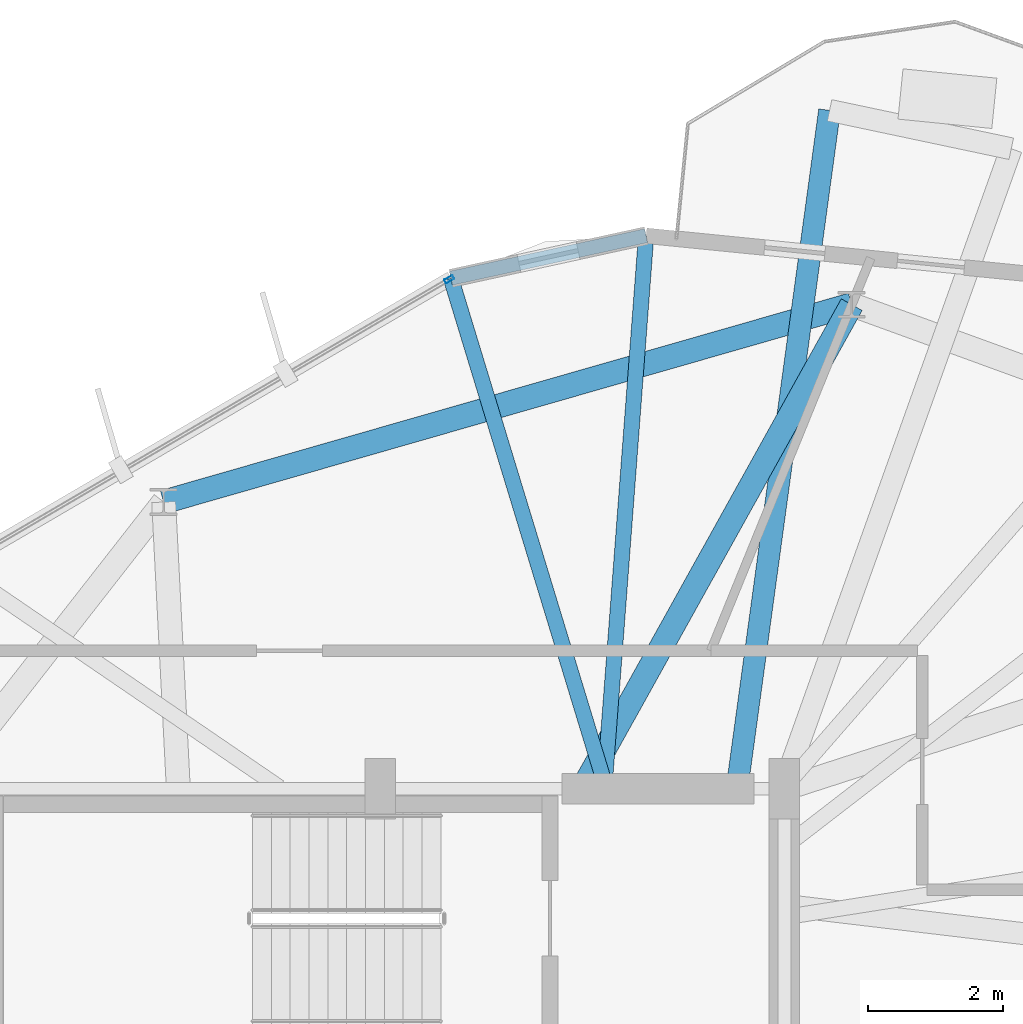
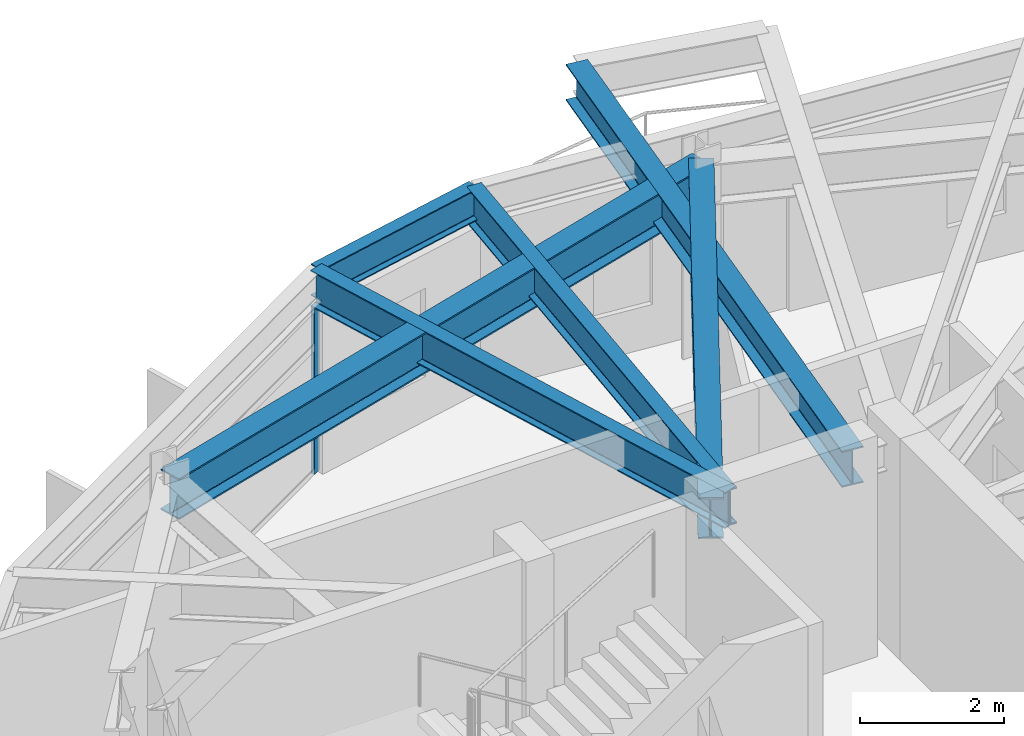
# One storey, part 16 of 25: 6 beams, 1 member, 1 element without a shape of its own.
"""IFC4 building model written with IfcOpenShell, lengths in metres."""

from ifc_helpers import new_model, si_unit, direction, frame, origin, origin_2d, place, context, subcontext, project, spatial, hollow_rectangle, i_section, extrude, material, layer, layer_set, material_profile, profile_set, type_object, element, aggregate, save


model = new_model("IFC4")

# Units and contexts
model_context = context("Model", 3, precision=1e-05, world=origin(), true_north=direction((0.0, 1.0)))
body_context = subcontext(model_context, "Body", "Model", "MODEL_VIEW")
ifc_project = project(units=[si_unit("LENGTHUNIT", "METRE"), si_unit("AREAUNIT", "SQUARE_METRE"), si_unit("VOLUMEUNIT", "CUBIC_METRE"), si_unit("PLANEANGLEUNIT", "RADIAN"), si_unit("MASSUNIT", "GRAM", prefix="KILO")], contexts=[model_context])

# Site, building, storey
site_placement = place(None, origin())
site = spatial("IfcSite", under=ifc_project, at=site_placement, CompositionType="ELEMENT")
building_placement = place(site_placement, origin())
building = spatial("IfcBuilding", under=site, at=building_placement, Name="Soratama Intermodal Tower", CompositionType="ELEMENT")
storey_placement = place(building_placement, frame((0.0, 0.0, 276.25)))
storey = spatial("IfcBuildingStorey", under=building, at=storey_placement, Name="L70", CompositionType="ELEMENT", Elevation=276.25)

# Beams
ifc_material_1 = material(Name="Structural steel ASTM A992 Grade 50", Category="steel")
ifc_material_profile_1 = material_profile(ifc_material_1, i_section(OverallWidth=0.324951171875, OverallDepth=0.615966796875, WebThickness=0.013916015625, FlangeThickness=0.021484375, FilletRadius=0.013916015625, at=origin_2d()), Name="W24X117")
ifc_profile_set_1 = profile_set([ifc_material_profile_1], Name="Structural steel ASTM A992 Grade 50")
beam_type_1 = type_object("IfcBeamType", Name="BM-CANT-W24X117", PredefinedType="BEAM", material=ifc_profile_set_1)
beam_1_placement = place(storey_placement, frame((43.90087890625, 35.0400390625, 3.14208984375), z_axis=(0.135279936444, 0.990807417612, 0.0), x_axis=(-0.990807417612, 0.135279936444, 0.0)))
element("IfcBeam", 1, at=beam_1_placement, inside=storey, type_object=beam_type_1, Name="BM-L70-CANT-2-2", PredefinedType="BEAM", context=body_context, shape_type="SweptSolid", body=[
    extrude(i_section(OverallWidth=0.324951171875, OverallDepth=0.615966796875, WebThickness=0.013916015625, FlangeThickness=0.021484375, FilletRadius=0.013916015625, at=origin_2d()), origin(), (0.0, 0.0, 1.0), 10.1279296875),
])
ifc_material_2 = material(Name="Structural steel ASTM A992 Grade 50", Category="steel")
ifc_material_profile_2 = material_profile(ifc_material_2, i_section(OverallWidth=0.35498046875, OverallDepth=0.695068359375, WebThickness=0.015380859375, FlangeThickness=0.02490234375, FilletRadius=0.01611328125, at=origin_2d()), Name="W27X146")
ifc_profile_set_2 = profile_set([ifc_material_profile_2], Name="Structural steel ASTM A992 Grade 50")
beam_type_2 = type_object("IfcBeamType", Name="BM-RING-W27X146", PredefinedType="BEAM", material=ifc_profile_set_2)
beam_2_placement = place(storey_placement, frame((45.60009765625, 42.18994140625, 3.1025390625), z_axis=(-0.961238292127, -0.275718961532, 0.0), x_axis=(0.275718961532, -0.961238292127, 0.0)))
element("IfcBeam", 2, at=beam_2_placement, inside=storey, type_object=beam_type_2, Name="BM-L70-RING-03", PredefinedType="BEAM", context=body_context, shape_type="SweptSolid", body=[
    extrude(i_section(OverallWidth=0.35498046875, OverallDepth=0.695068359375, WebThickness=0.015380859375, FlangeThickness=0.02490234375, FilletRadius=0.01611328125, at=origin_2d()), origin(), (0.0, 0.0, 1.0), 10.630126953125),
])
beam_3_placement = place(storey_placement, frame((41.60009765625, 35.0, 3.1025390625), z_axis=(0.486161842523, 0.873868790423, 0.0), x_axis=(-0.873868790423, 0.486161842523, 0.0)))
element("IfcBeam", 3, at=beam_3_placement, inside=storey, type_object=beam_type_2, Name="BM-L70-RAD-03", PredefinedType="BEAM", context=body_context, shape_type="SweptSolid", body=[
    extrude(i_section(OverallWidth=0.35498046875, OverallDepth=0.695068359375, WebThickness=0.015380859375, FlangeThickness=0.02490234375, FilletRadius=0.01611328125, at=origin_2d()), origin(), (0.0, 0.0, 1.0), 8.227783203125),
])
ifc_material_3 = material(Name="Structural steel ASTM A992 Grade 50", Category="steel")
ifc_material_profile_3 = material_profile(ifc_material_3, i_section(OverallWidth=0.2099609375, OverallDepth=0.537109375, WebThickness=0.010986328125, FlangeThickness=0.017333984375, FilletRadius=0.012939453125, at=origin_2d()), Name="W21X68")
ifc_profile_set_3 = profile_set([ifc_material_profile_3], Name="Structural steel ASTM A992 Grade 50")
beam_type_3 = type_object("IfcBeamType", Name="BM-SPN-W21X68", PredefinedType="SPANDREL", material=ifc_profile_set_3)
beam_4_placement = place(storey_placement, frame((42.547119140625, 43.214111328125, 3.181396484375), z_axis=(-0.97704846369, -0.213017134526, 0.0), x_axis=(0.213017134526, -0.97704846369, 0.0)))
element("IfcBeam", 4, at=beam_4_placement, inside=storey, type_object=beam_type_3, Name="BS-L70-CRN01", PredefinedType="SPANDREL", context=body_context, shape_type="SweptSolid", body=[
    extrude(i_section(OverallWidth=0.2099609375, OverallDepth=0.537109375, WebThickness=0.010986328125, FlangeThickness=0.017333984375, FilletRadius=0.012939453125, at=origin_2d()), origin(), (0.0, 0.0, 1.0), 2.96728515625),
])
ifc_material_4 = material(Name="Structural steel ASTM A992 Grade 50", Category="steel")
ifc_material_profile_4 = material_profile(ifc_material_4, i_section(OverallWidth=0.22900390625, OverallDepth=0.612060546875, WebThickness=0.011962890625, FlangeThickness=0.01953125, FilletRadius=0.012939453125, at=origin_2d()), Name="W24X84")
ifc_profile_set_4 = profile_set([ifc_material_profile_4], Name="Structural steel ASTM A992 Grade 50")
beam_type_4 = type_object("IfcBeamType", Name="BM-TIE-W24X84", PredefinedType="BEAM", material=ifc_profile_set_4)
beam_5_placement = place(storey_placement, frame((41.927978515625, 35.0400390625, 3.14404296875), z_axis=(0.075528101204, 0.997143673664, 0.0), x_axis=(-0.997143673664, 0.075528101204, 0.0)))
element("IfcBeam", 5, at=beam_5_placement, inside=storey, type_object=beam_type_4, Name="BM-L70-TIE1-01", PredefinedType="BEAM", context=body_context, shape_type="SweptSolid", body=[
    extrude(i_section(OverallWidth=0.22900390625, OverallDepth=0.612060546875, WebThickness=0.011962890625, FlangeThickness=0.01953125, FilletRadius=0.012939453125, at=origin_2d()), origin(), (0.0, 0.0, 1.0), 8.197509765625),
])
beam_6_placement = place(storey_placement, frame((41.945068359375, 35.0380859375, 3.14404296875), z_axis=(-0.291293429889, 0.95663375317, 0.0), x_axis=(-0.95663375317, -0.291293429889, 0.0)))
element("IfcBeam", 6, at=beam_6_placement, inside=storey, type_object=beam_type_4, Name="BM-L70-TIE0-02", PredefinedType="BEAM", context=body_context, shape_type="SweptSolid", body=[
    extrude(i_section(OverallWidth=0.22900390625, OverallDepth=0.612060546875, WebThickness=0.011962890625, FlangeThickness=0.01953125, FilletRadius=0.012939453125, at=origin_2d()), origin(), (0.0, 0.0, 1.0), 7.885986328125),
])

# Curtain wall, member
ifc_material_5 = material(Name="Double-glazed aluminium curtain wall", Category="aluminium")
ifc_layer = layer(ifc_material_5, 0.159912109375)
ifc_layer_set = layer_set([ifc_layer], Name="Double-glazed aluminium curtain wall")
curtain_wall_type = type_object("IfcCurtainWallType", Name="CW-SYS-5", PredefinedType="NOTDEFINED", material=ifc_layer_set)
curtain_wall_placement = place(storey_placement, origin())
curtain_wall = element("IfcCurtainWall", 7, at=curtain_wall_placement, inside=storey, type_object=curtain_wall_type, Name="L70 Faceted Curtain Wall F02", PredefinedType="NOTDEFINED")
ifc_material_6 = material(Name="Anodised aluminium AA 6063-T6", Category="aluminium")
ifc_material_profile_5 = material_profile(ifc_material_6, hollow_rectangle(XDim=0.06494140625, YDim=0.139892578125, WallThickness=0.0048828125, InnerFilletRadius=0.0048828125, OuterFilletRadius=0.010009765625, at=origin_2d()), Name="CWM140X65X5")
ifc_profile_set_5 = profile_set([ifc_material_profile_5], Name="Anodised aluminium AA 6063-T6")
member_type = type_object("IfcMemberType", Name="MT-CWM-5", PredefinedType="MULLION", material=ifc_profile_set_5)
member_placement = place(storey_placement, frame((39.62255859375, 42.56640625, 0.0), z_axis=(0.0, 0.0, 1.0), x_axis=(0.504528498033, -0.863395039754, 0.0)))
member = element("IfcMember", 8, at=member_placement, type_object=member_type, Name="CW-5 mullion 1", PredefinedType="MULLION", context=body_context, shape_type="SweptSolid", body=[
    extrude(hollow_rectangle(XDim=0.06494140625, YDim=0.139892578125, WallThickness=0.0048828125, InnerFilletRadius=0.0048828125, OuterFilletRadius=0.010009765625, at=origin_2d()), origin(), (0.0, 0.0, 1.0), 2.8291015625),
])
aggregate(curtain_wall, [member])

save(model, "model.ifc")
